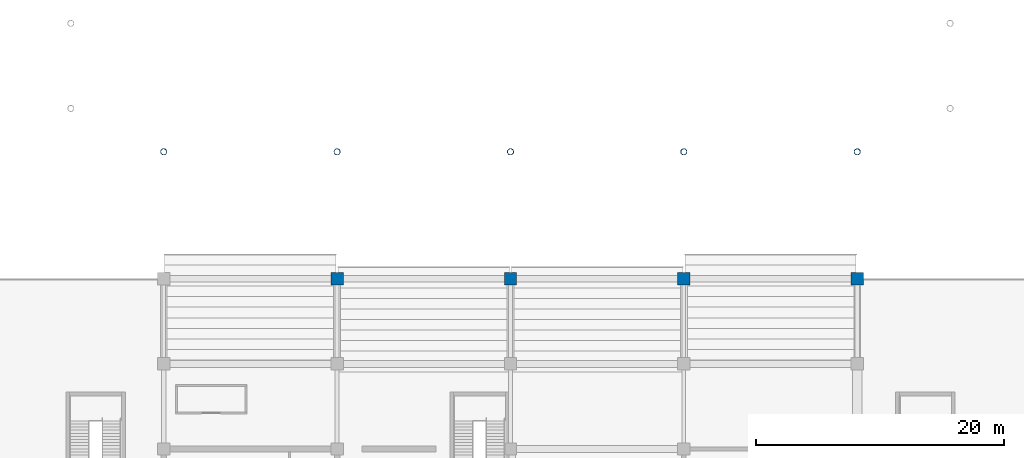
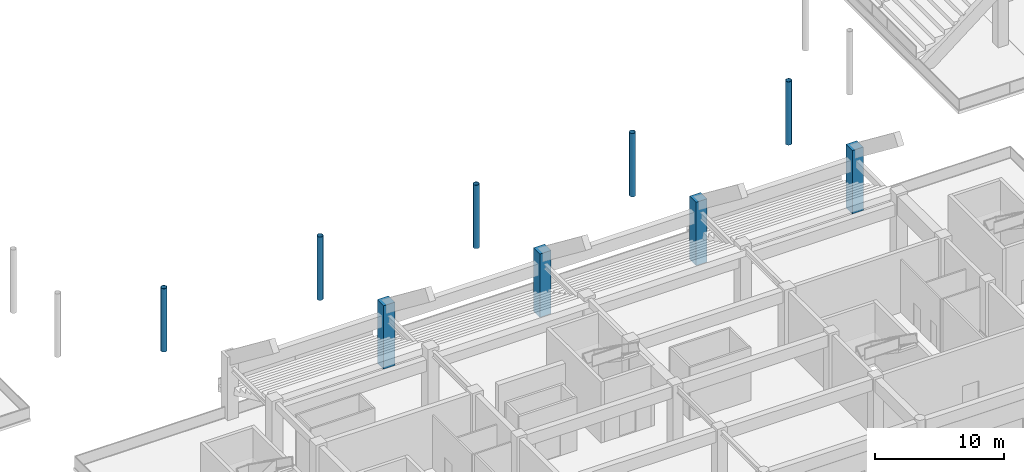
# One storey, part 5 of 73: 9 columns.
"""IFC4 building model written with IfcOpenShell, lengths in metres."""

from ifc_helpers import new_model, si_unit, direction, frame, origin, origin_2d, place, context, subcontext, project, spatial, rectangle, hollow_circle, extrude, material, material_profile, profile_set, type_object, element, save


model = new_model("IFC4")

# Units and contexts
model_context = context("Model", 3, precision=1e-05, world=origin(), true_north=direction((0.0, 1.0)))
body_context = subcontext(model_context, "Body", "Model", "MODEL_VIEW")
ifc_project = project(units=[si_unit("LENGTHUNIT", "METRE"), si_unit("AREAUNIT", "SQUARE_METRE"), si_unit("VOLUMEUNIT", "CUBIC_METRE"), si_unit("PLANEANGLEUNIT", "RADIAN"), si_unit("MASSUNIT", "GRAM", prefix="KILO")], contexts=[model_context])

# Site, building, storey
site_placement = place(None, origin())
site = spatial("IfcSite", under=ifc_project, at=site_placement, CompositionType="ELEMENT")
building_placement = place(site_placement, origin())
building = spatial("IfcBuilding", under=site, at=building_placement, Name="Linyun Crest Stadium", CompositionType="ELEMENT")
storey_placement = place(building_placement, origin())
storey = spatial("IfcBuildingStorey", under=building, at=storey_placement, Name="L01", CompositionType="ELEMENT", Elevation=0.0)

# Columns
ifc_material_1 = material(Name="Concrete C50", Category="concrete")
ifc_material_profile_1 = material_profile(ifc_material_1, rectangle(XDim=1.0, YDim=1.0, at=origin_2d()), Name="RC 1000x1000")
ifc_profile_set_1 = profile_set([ifc_material_profile_1], Name="Concrete C50")
column_type_1 = type_object("IfcColumnType", Name="C05", PredefinedType="COLUMN", material=ifc_profile_set_1)
for number, where, z_axis, x_axis, name in (
    (1, (-14.0, -59.75, 0.0), (0.0, 0.0, 1.0), (1.0, 0.0, 0.0), "Column C05 L01 721"),
    (2, (0.0, -59.75, 0.0), (0.0, 0.0, 1.0), (1.0, 0.0, 0.0), "Column C05 L01 745"),
    (3, (14.0, -59.75, 0.0), (0.0, 0.0, 1.0), (1.0, 0.0, 0.0), "Column C05 L01 769"),
    (4, (28.0, -59.75, 0.0), (0.0, 0.0, 1.0), (1.0, 0.0, 0.0), "Column C05 L01 793"),
):
    element("IfcColumn", number, at=place(storey_placement, frame(where, z_axis=z_axis, x_axis=x_axis)), inside=storey, type_object=column_type_1, Name=name, PredefinedType="COLUMN", context=body_context, shape_type="SweptSolid", body=[
        extrude(rectangle(XDim=1.0, YDim=1.0, at=origin_2d()), origin(), (0.0, 0.0, 1.0), 6.0),
    ])
ifc_material_2 = material(Name="Steel Q355C", Category="steel")
ifc_material_profile_2 = material_profile(ifc_material_2, hollow_circle(Radius=0.25390625, WallThickness=0.02490234375, at=origin_2d()), Name="CHS 508x25")
ifc_profile_set_2 = profile_set([ifc_material_profile_2], Name="Steel Q355C")
column_type_2 = type_object("IfcColumnType", Name="SC05", PredefinedType="COLUMN", material=ifc_profile_set_2)
for number, where, z_axis, x_axis, name in (
    (5, (-28.0, -49.5, 0.0), (0.0, 0.0, 1.0), (1.0, 0.0, 0.0), "Arch colonnade column SC05 L01 44"),
    (6, (-14.0, -49.5, 0.0), (0.0, 0.0, 1.0), (1.0, 0.0, 0.0), "Arch colonnade column SC05 L01 46"),
    (7, (0.0, -49.5, 0.0), (0.0, 0.0, 1.0), (1.0, 0.0, 0.0), "Arch colonnade column SC05 L01 48"),
    (8, (14.0, -49.5, 0.0), (0.0, 0.0, 1.0), (1.0, 0.0, 0.0), "Arch colonnade column SC05 L01 50"),
    (9, (28.0, -49.5, 0.0), (0.0, 0.0, 1.0), (1.0, 0.0, 0.0), "Arch colonnade column SC05 L01 52"),
):
    element("IfcColumn", number, at=place(storey_placement, frame(where, z_axis=z_axis, x_axis=x_axis)), inside=storey, type_object=column_type_2, Name=name, PredefinedType="COLUMN", context=body_context, shape_type="SweptSolid", body=[
        extrude(hollow_circle(Radius=0.25390625, WallThickness=0.02490234375, at=origin_2d()), origin(), (0.0, 0.0, 1.0), 6.0),
    ])

save(model, "model.ifc")
